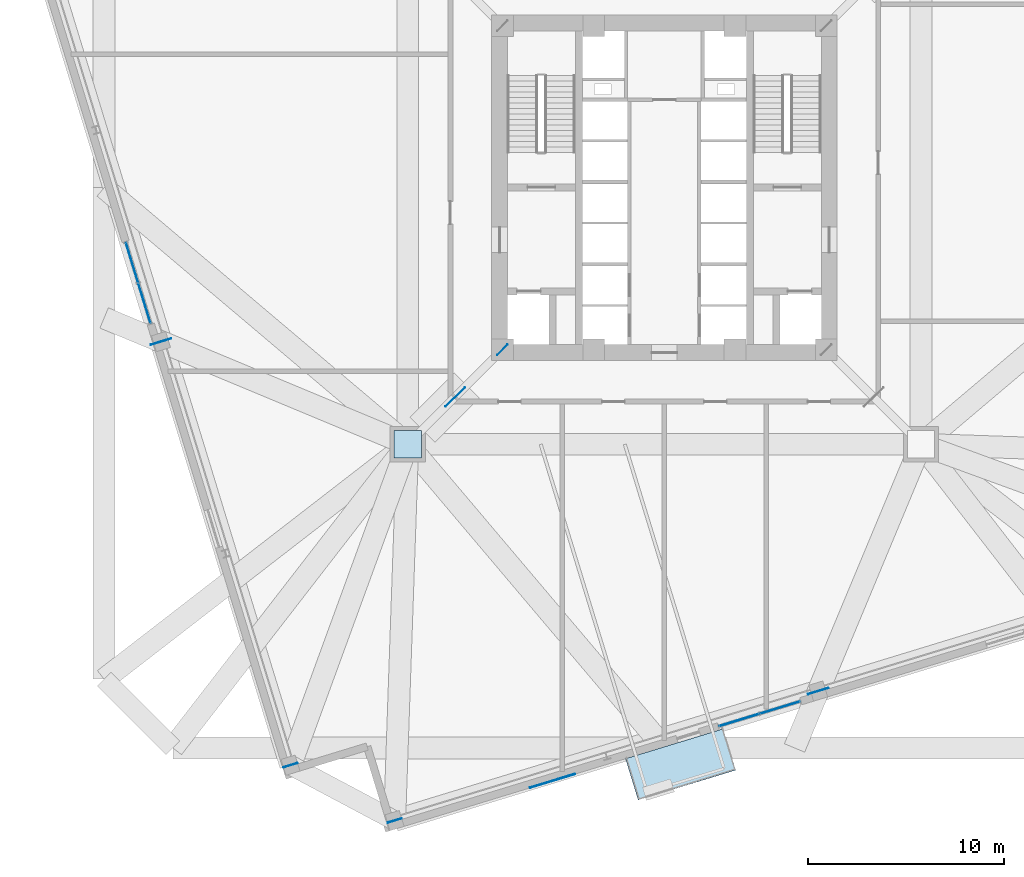
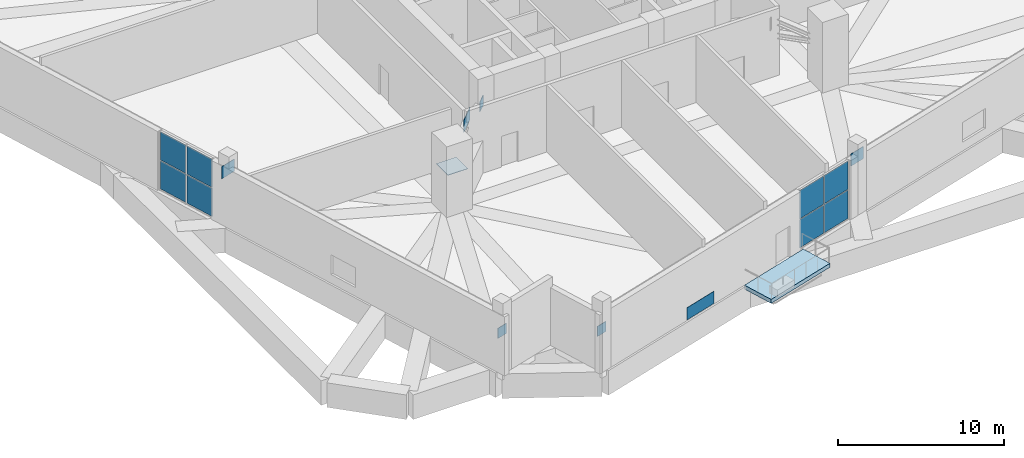
# One storey, part 12 of 22: 16 plates, 1 slab, 2 elements without a shape of their own.
"""IFC4 building model written with IfcOpenShell, lengths in metres."""

from ifc_helpers import new_model, si_unit, direction, frame, origin, origin_2d, place, context, subcontext, project, spatial, polyline, rectangle, outline, extrude, source, transform, mapped, material, layer, layer_set, type_object, element, aggregate, save


model = new_model("IFC4")

# Units and contexts
model_context = context("Model", 3, precision=1e-05, world=origin(), true_north=direction((0.0, 1.0)))
body_context = subcontext(model_context, "Body", "Model", "MODEL_VIEW")
ifc_project = project(units=[si_unit("LENGTHUNIT", "METRE"), si_unit("AREAUNIT", "SQUARE_METRE"), si_unit("VOLUMEUNIT", "CUBIC_METRE"), si_unit("PLANEANGLEUNIT", "RADIAN"), si_unit("MASSUNIT", "GRAM", prefix="KILO"), si_unit("THERMODYNAMICTEMPERATUREUNIT", "KELVIN")], contexts=[model_context])

# Site, building, storey
site_placement = place(None, origin())
site = spatial("IfcSite", under=ifc_project, at=site_placement, CompositionType="ELEMENT")
building_placement = place(site_placement, origin())
building = spatial("IfcBuilding", under=site, at=building_placement, Name="Kosmvard Interchange Tower", CompositionType="ELEMENT")
storey_placement = place(building_placement, frame((0.0, 0.0, 78.0)))
storey = spatial("IfcBuildingStorey", under=building, at=storey_placement, Name="L18", CompositionType="ELEMENT", Elevation=78.0)

# Slab
ifc_material_1 = material(Name="Precast concrete C45/55", Category="concrete")
ifc_layer_1 = layer(ifc_material_1, 0.2900390625, Name="Precast concrete C45/55")
ifc_layer_set_1 = layer_set([ifc_layer_1], Name="Precast concrete C45/55")
slab_type = type_object("IfcSlabType", Name="Cascade Garden Terrace Slab 290 C45/55", PredefinedType="FLOOR", material=ifc_layer_set_1)
slab_placement = place(storey_placement, frame((0.0, 0.0, -0.2900390625)))
element("IfcSlab", 1, at=slab_placement, inside=storey, type_object=slab_type, Name="L18 Outdoor Terrace Balcony Slab SKG-L18-S", PredefinedType="FLOOR", context=body_context, shape_type="SweptSolid", body=[
    extrude(outline(polyline([(-1.335205078125, -31.203857421875), (3.637451171875, -29.68359375), (2.994384765625, -27.57958984375), (-1.978515625, -29.099853515625), (-1.335205078125, -31.203857421875)])), origin(), (0.0, 0.0, 1.0), 0.2900390625),
])

# Plates
ifc_material_2 = material(Name="Steel S460", Category="steel")
ifc_layer_2 = layer(ifc_material_2, 0.031982421875, Name="Steel S460")
ifc_layer_set_2 = layer_set([ifc_layer_2], Name="Steel S460")
plate_type_1 = type_object("IfcPlateType", Name="Belt Truss Gusset Plate 1100x1100x32 S460", PredefinedType="USERDEFINED", material=ifc_layer_set_2)
shared_shape_1 = source(origin(), body_context, "Body", "SweptSolid", [
    extrude(rectangle(XDim=0.75, YDim=0.031982421875, at=origin_2d()), origin(), (0.0, 0.0, 1.0), 0.75),
])
for number, where, z_axis, x_axis, name in (
    (2, (-8.25, -8.25, 2.544921875), (0.0, 0.0, 1.0), (0.707106781187, 0.707106781187, 0.0), "L18 Outrigger Core End Gusset Plate 1"),
    (3, (-13.74560546875, -32.253173828125, 2.445068359375), (0.0, 0.0, 1.0), (0.956304755963, 0.292371704723, 0.0), "L18 Belt Truss End Gusset Plate BAS"),
    (4, (-19.052490234375, -29.431396484375, 2.445068359375), (0.0, 0.0, 1.0), (0.956304755963, 0.292371704723, 0.0), "L18 Belt Truss End Gusset Plate BBW"),
):
    element("IfcPlate", number, at=place(storey_placement, frame(where, z_axis=z_axis, x_axis=x_axis)), inside=storey, type_object=plate_type_1, Name=name, ObjectType="GUSSET_PLATE", PredefinedType="USERDEFINED", context=body_context, shape_type="MappedRepresentation", body=[
        mapped(shared_shape_1, transform((0.0, 0.0, 0.0), scale=1.0)),
    ])
ifc_layer_3 = layer(ifc_material_2, 0.035888671875, Name="Steel S460")
ifc_layer_set_3 = layer_set([ifc_layer_3], Name="Steel S460")
plate_type_2 = type_object("IfcPlateType", Name="Outrigger Node Gusset Plate 1400x1400x36 S460", PredefinedType="USERDEFINED", material=ifc_layer_set_3)
shared_shape_2 = source(origin(), body_context, "Body", "SweptSolid", [
    extrude(rectangle(XDim=1.39990234375, YDim=0.035888671875, at=origin_2d()), origin(), (0.0, 0.0, 1.0), 0.89990234375),
])
plate_1_placement = place(storey_placement, frame((-10.66552734375, -10.66552734375, 3.580078125), z_axis=(0.0, 0.0, 1.0), x_axis=(0.707106781187, 0.707106781187, 0.0)))
element("IfcPlate", 5, at=plate_1_placement, inside=storey, type_object=plate_type_2, Name="L18 Outrigger Node Gusset Plate 1", ObjectType="GUSSET_PLATE", PredefinedType="USERDEFINED", context=body_context, shape_type="MappedRepresentation", body=[
    mapped(shared_shape_2, transform((0.0, 0.0, 0.0), scale=1.0)),
])
ifc_layer_4 = layer(ifc_material_2, 0.034912109375, Name="Steel S460")
ifc_layer_set_4 = layer_set([ifc_layer_4], Name="Steel S460")
plate_type_3 = type_object("IfcPlateType", Name="Mega-Column Splice Flange Plate 1400x1400x35 S460", PredefinedType="USERDEFINED", material=ifc_layer_set_4)
shared_shape_3 = source(origin(), body_context, "Body", "SweptSolid", [
    extrude(rectangle(XDim=1.39990234375, YDim=1.39990234375, at=origin_2d()), origin(), (0.0, 0.0, 1.0), 0.034912109375),
])
plate_2_placement = place(storey_placement, frame((-13.0810546875, -13.0810546875, 2.90234375), z_axis=(0.0, 0.0, 1.0), x_axis=(1.0, 0.0, 0.0)))
element("IfcPlate", 6, at=plate_2_placement, inside=storey, type_object=plate_type_3, Name="L18 Mega-Column Splice Flange Plate 1", ObjectType="FLANGE_PLATE", PredefinedType="USERDEFINED", context=body_context, shape_type="MappedRepresentation", body=[
    mapped(shared_shape_3, transform((0.0, 0.0, 0.0), scale=1.0)),
])
shared_shape_4 = source(origin(), body_context, "Body", "SweptSolid", [
    extrude(rectangle(XDim=1.10009765625, YDim=0.031982421875, at=origin_2d()), origin(), (0.0, 0.0, 1.0), 0.89990234375),
])
for number, where, z_axis, x_axis, name in (
    (7, (7.8427734375, -25.65283203125, 3.510009765625), (0.0, 0.0, 1.0), (0.956304755963, 0.292371704723, 0.0), "L18 Belt Truss Node Gusset Plate S"),
    (8, (-25.65283203125, -7.8427734375, 3.510009765625), (0.0, 0.0, 1.0), (0.956304755963, 0.292371704723, 0.0), "L18 Belt Truss Node Gusset Plate W"),
):
    element("IfcPlate", number, at=place(storey_placement, frame(where, z_axis=z_axis, x_axis=x_axis)), inside=storey, type_object=plate_type_1, Name=name, ObjectType="GUSSET_PLATE", PredefinedType="USERDEFINED", context=body_context, shape_type="MappedRepresentation", body=[
        mapped(shared_shape_4, transform((0.0, 0.0, 0.0), scale=1.0)),
    ])

# Curtain wall, plates
ifc_material_3 = material(Name="Architectural anodised aluminium", Category="aluminium")
ifc_layer_5 = layer(ifc_material_3, 0.179931640625, Name="Architectural anodised aluminium")
ifc_layer_set_5 = layer_set([ifc_layer_5], Name="Architectural anodised aluminium")
curtain_wall_type_1 = type_object("IfcCurtainWallType", Name="CW-3 Sky-Garden Vestibule Curtain Wall", PredefinedType="NOTDEFINED", material=ifc_layer_set_5)
curtain_wall_1_placement = place(storey_placement, origin())
curtain_wall_1 = element("IfcCurtainWall", 9, at=curtain_wall_1_placement, inside=storey, type_object=curtain_wall_type_1, Name="L18 Sky-Garden Curtain Wall S", PredefinedType="NOTDEFINED")
ifc_material_4 = material(Name="Low-E solar-control double glazing", Category="glass")
ifc_layer_6 = layer(ifc_material_4, 0.031982421875, Name="Low-E solar-control double glazing")
ifc_layer_set_6 = layer_set([ifc_layer_6], Name="Low-E solar-control double glazing")
plate_type_4 = type_object("IfcPlateType", Name="Sky-Garden Vision Curtain Panel 32", PredefinedType="CURTAIN_PANEL", material=ifc_layer_set_6)
shared_shape_5 = source(origin(), body_context, "Body", "SweptSolid", [
    extrude(rectangle(XDim=2.1025390625, YDim=0.031982421875, at=origin_2d()), origin(), (0.0, 0.0, 1.0), 2.080078125),
])
plate_3_placement = place(storey_placement, frame((3.81494140625, -27.130126953125, 0.06005859375), z_axis=(0.0, 0.0, 1.0), x_axis=(0.956304725673, 0.292371803799, 0.0)))
plate_3 = element("IfcPlate", 10, at=plate_3_placement, type_object=plate_type_4, Name="CW-3 panel 1.1", PredefinedType="CURTAIN_PANEL", context=body_context, shape_type="MappedRepresentation", body=[
    mapped(shared_shape_5, transform((0.0, 0.0, 0.0), scale=1.0)),
])
plate_4_placement = place(storey_placement, frame((3.81494140625, -27.130126953125, 2.199951171875), z_axis=(0.0, 0.0, 1.0), x_axis=(0.956304725673, 0.292371803799, 0.0)))
plate_4 = element("IfcPlate", 11, at=plate_4_placement, type_object=plate_type_4, Name="CW-3 panel 1.2", PredefinedType="CURTAIN_PANEL", context=body_context, shape_type="MappedRepresentation", body=[
    mapped(shared_shape_5, transform((0.0, 0.0, 0.0), scale=1.0)),
])
plate_5_placement = place(storey_placement, frame((5.8876953125, -26.496337890625, 0.06005859375), z_axis=(0.0, 0.0, 1.0), x_axis=(0.956304725673, 0.292371803799, 0.0)))
plate_5 = element("IfcPlate", 12, at=plate_5_placement, type_object=plate_type_4, Name="CW-3 panel 2.1", PredefinedType="CURTAIN_PANEL", context=body_context, shape_type="MappedRepresentation", body=[
    mapped(shared_shape_5, transform((0.0, 0.0, 0.0), scale=1.0)),
])
plate_6_placement = place(storey_placement, frame((5.8876953125, -26.496337890625, 2.199951171875), z_axis=(0.0, 0.0, 1.0), x_axis=(0.956304725673, 0.292371803799, 0.0)))
plate_6 = element("IfcPlate", 13, at=plate_6_placement, type_object=plate_type_4, Name="CW-3 panel 2.2", PredefinedType="CURTAIN_PANEL", context=body_context, shape_type="MappedRepresentation", body=[
    mapped(shared_shape_5, transform((0.0, 0.0, 0.0), scale=1.0)),
])
aggregate(curtain_wall_1, [plate_3, plate_4, plate_5, plate_6])

# Plate
ifc_layer_7 = layer(ifc_material_3, 0.0400390625, Name="Architectural anodised aluminium")
ifc_layer_set_7 = layer_set([ifc_layer_7], Name="Architectural anodised aluminium")
plate_type_5 = type_object("IfcPlateType", Name="Precast Spandrel Shadow Feature Sheet 2400x900x40", PredefinedType="SHEET", material=ifc_layer_set_7)
shared_shape_6 = source(origin(), body_context, "Body", "SweptSolid", [
    extrude(rectangle(XDim=0.0400390625, YDim=2.39990234375, at=origin_2d()), origin(), (0.0, 0.0, 1.0), 0.89990234375),
])
plate_7_placement = place(storey_placement, frame((-5.705078125, -30.23291015625, 0.050048828125), z_axis=(0.0, 0.0, 1.0), x_axis=(0.29237190653, -0.956304694264, 0.0)))
element("IfcPlate", 14, at=plate_7_placement, inside=storey, type_object=plate_type_5, Name="L18 Transfer Spandrel Fascia Sheet S", PredefinedType="SHEET", context=body_context, shape_type="MappedRepresentation", body=[
    mapped(shared_shape_6, transform((0.0, 0.0, 0.0), scale=1.0)),
])

# Curtain wall, plates
ifc_layer_8 = layer(ifc_material_3, 0.2099609375, Name="Architectural anodised aluminium")
ifc_layer_set_8 = layer_set([ifc_layer_8], Name="Architectural anodised aluminium")
curtain_wall_type_2 = type_object("IfcCurtainWallType", Name="CW-4 Refuge Transfer Glazed Louvre Wall", PredefinedType="NOTDEFINED", material=ifc_layer_set_8)
curtain_wall_2_placement = place(storey_placement, origin())
curtain_wall_2 = element("IfcCurtainWall", 15, at=curtain_wall_2_placement, inside=storey, type_object=curtain_wall_type_2, Name="L18 Transfer Louvre Curtain Wall W", PredefinedType="NOTDEFINED")
ifc_layer_9 = layer(ifc_material_4, 0.028076171875, Name="Low-E solar-control double glazing")
ifc_layer_set_9 = layer_set([ifc_layer_9], Name="Low-E solar-control double glazing")
plate_type_6 = type_object("IfcPlateType", Name="Concourse Vision Curtain Panel 28", PredefinedType="CURTAIN_PANEL", material=ifc_layer_set_9)
shared_shape_7 = source(origin(), body_context, "Body", "SweptSolid", [
    extrude(rectangle(XDim=2.08740234375, YDim=0.028076171875, at=origin_2d()), origin(), (0.0, 0.0, 1.0), 2.072509765625),
])
plate_8_placement = place(storey_placement, frame((-27.12939453125, -3.8173828125, 0.06494140625), z_axis=(0.0, 0.0, 1.0), x_axis=(0.292371803799, -0.956304725673, 0.0)))
plate_8 = element("IfcPlate", 16, at=plate_8_placement, type_object=plate_type_6, Name="CW-4 panel 1.1", PredefinedType="CURTAIN_PANEL", context=body_context, shape_type="MappedRepresentation", body=[
    mapped(shared_shape_7, transform((0.0, 0.0, 0.0), scale=1.0)),
])
plate_9_placement = place(storey_placement, frame((-27.12939453125, -3.8173828125, 2.20263671875), z_axis=(0.0, 0.0, 1.0), x_axis=(0.292371803799, -0.956304725673, 0.0)))
plate_9 = element("IfcPlate", 17, at=plate_9_placement, type_object=plate_type_6, Name="CW-4 panel 1.2", PredefinedType="CURTAIN_PANEL", context=body_context, shape_type="MappedRepresentation", body=[
    mapped(shared_shape_7, transform((0.0, 0.0, 0.0), scale=1.0)),
])
plate_10_placement = place(storey_placement, frame((-26.4970703125, -5.885498046875, 0.06494140625), z_axis=(0.0, 0.0, 1.0), x_axis=(0.292371803799, -0.956304725673, 0.0)))
plate_10 = element("IfcPlate", 18, at=plate_10_placement, type_object=plate_type_6, Name="CW-4 panel 2.1", PredefinedType="CURTAIN_PANEL", context=body_context, shape_type="MappedRepresentation", body=[
    mapped(shared_shape_7, transform((0.0, 0.0, 0.0), scale=1.0)),
])
plate_11_placement = place(storey_placement, frame((-26.4970703125, -5.885498046875, 2.20263671875), z_axis=(0.0, 0.0, 1.0), x_axis=(0.292371803799, -0.956304725673, 0.0)))
plate_11 = element("IfcPlate", 19, at=plate_11_placement, type_object=plate_type_6, Name="CW-4 panel 2.2", PredefinedType="CURTAIN_PANEL", context=body_context, shape_type="MappedRepresentation", body=[
    mapped(shared_shape_7, transform((0.0, 0.0, 0.0), scale=1.0)),
])
aggregate(curtain_wall_2, [plate_8, plate_9, plate_10, plate_11])

save(model, "model.ifc")
